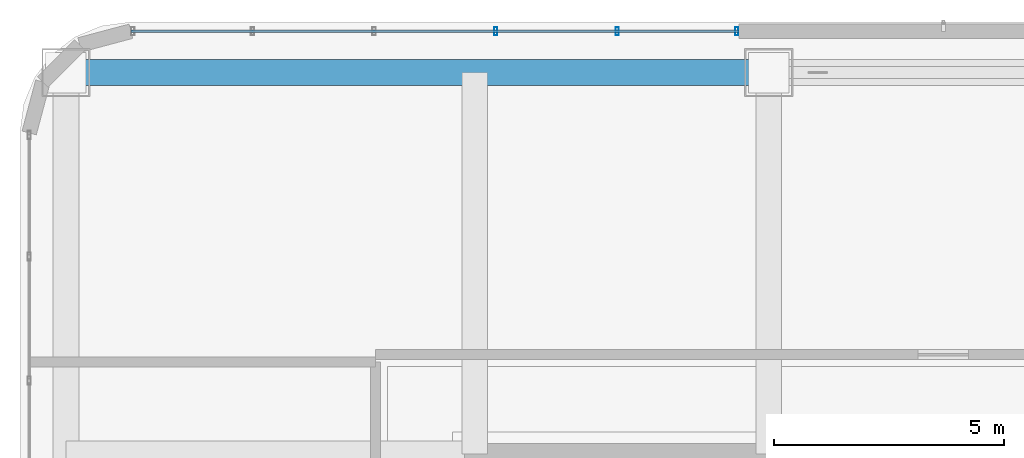
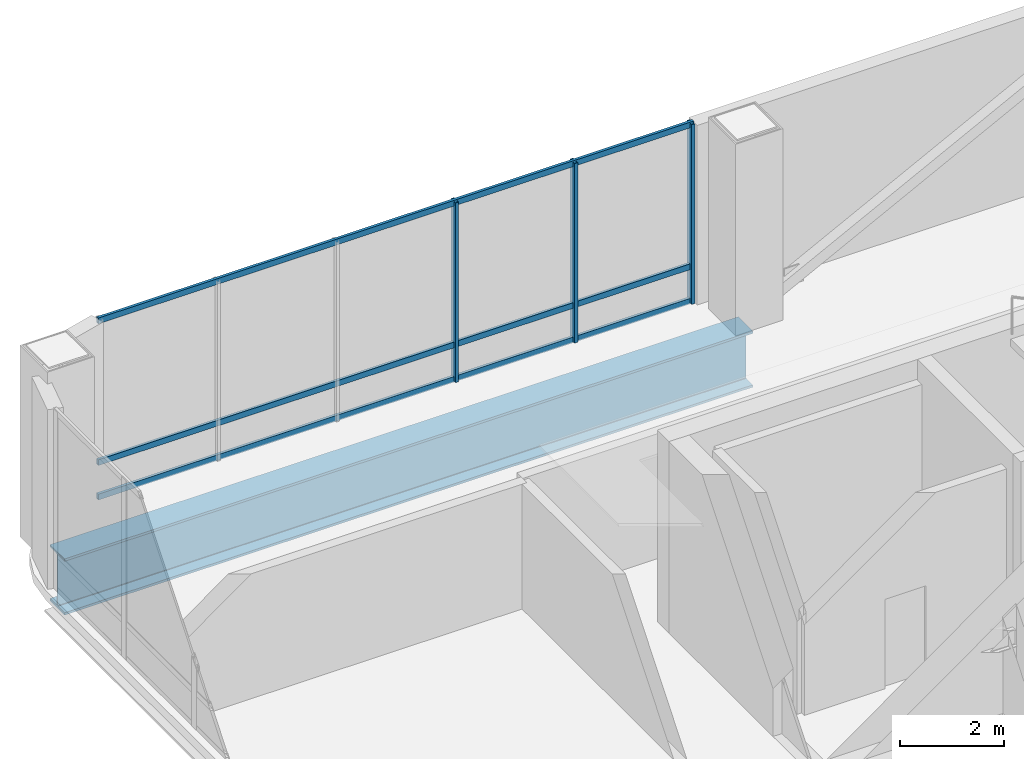
# One storey, part 21 of 33: 6 members, 1 beam, 1 element without a shape of its own.
"""IFC4 building model written with IfcOpenShell, lengths in metres."""

from ifc_helpers import new_model, si_unit, direction, frame, origin, origin_2d, place, context, subcontext, project, spatial, hollow_rectangle, i_section, extrude, material, material_profile, profile_set, type_object, element, aggregate, save


model = new_model("IFC4")

# Units and contexts
model_context = context("Model", 3, precision=1e-05, world=origin(), true_north=direction((0.0, 1.0)))
body_context = subcontext(model_context, "Body", "Model", "MODEL_VIEW")
ifc_project = project(units=[si_unit("LENGTHUNIT", "METRE"), si_unit("AREAUNIT", "SQUARE_METRE"), si_unit("VOLUMEUNIT", "CUBIC_METRE"), si_unit("PLANEANGLEUNIT", "RADIAN"), si_unit("MASSUNIT", "GRAM", prefix="KILO")], contexts=[model_context])

# Site, building, storey
site_placement = place(None, origin())
site = spatial("IfcSite", under=ifc_project, at=site_placement, CompositionType="ELEMENT")
building_placement = place(site_placement, origin())
building = spatial("IfcBuilding", under=site, at=building_placement, Name="Punatoya Terracotta Tower", CompositionType="ELEMENT")
storey_placement = place(building_placement, frame((0.0, 0.0, 348.300048828125)))
storey = spatial("IfcBuildingStorey", under=building, at=storey_placement, Name="L82", CompositionType="ELEMENT", Elevation=348.300048828125)

# Beam
ifc_material_1 = material(Name="Steel S460", Category="steel")
ifc_material_profile_1 = material_profile(ifc_material_1, i_section(OverallWidth=0.56005859375, OverallDepth=1.320068359375, WebThickness=0.035888671875, FlangeThickness=0.054931640625, FilletRadius=0.01806640625, at=origin_2d()))
ifc_profile_set_1 = profile_set([ifc_material_profile_1], Name="Steel S460")
beam_type = type_object("IfcBeamType", Name="BM-TG-BLK", PredefinedType="BEAM", material=ifc_profile_set_1)
beam_placement = place(storey_placement, frame((-19.10009765625, 17.5, -0.880126953125), z_axis=(1.0, 0.0, 0.0), x_axis=(0.0, 1.0, 0.0)))
element("IfcBeam", 1, at=beam_placement, inside=storey, type_object=beam_type, Name="BM-L82-RG-N1", PredefinedType="BEAM", context=body_context, shape_type="SweptSolid", body=[
    extrude(i_section(OverallWidth=0.56005859375, OverallDepth=1.320068359375, WebThickness=0.035888671875, FlangeThickness=0.054931640625, FilletRadius=0.01806640625, at=origin_2d()), origin(), (0.0, 0.0, 1.0), 15.300048828125),
])

# Curtain wall, members
ifc_material_2 = material(Name="Aluminium 6063-T6 + Double Low-E Glass", Category="aluminium")
curtain_wall_type = type_object("IfcCurtainWallType", Name="CW-CRN", PredefinedType="NOTDEFINED", material=ifc_material_2)
curtain_wall_placement = place(storey_placement, origin())
curtain_wall = element("IfcCurtainWall", 2, at=curtain_wall_placement, inside=storey, type_object=curtain_wall_type, Name="L82 Curtain Wall CW-L82-N09-2", PredefinedType="NOTDEFINED")
ifc_material_3 = material(Name="Aluminium 6063-T6", Category="aluminium")
ifc_material_profile_2 = material_profile(ifc_material_3, hollow_rectangle(XDim=0.070068359375, YDim=0.179931640625, WallThickness=0.00390625, at=origin_2d()))
ifc_profile_set_2 = profile_set([ifc_material_profile_2], Name="Aluminium 6063-T6")
member_type_1 = type_object("IfcMemberType", Name="CW-MUL-M3", PredefinedType="MULLION", material=ifc_profile_set_2)
member_1_placement = place(storey_placement, frame((-4.4951171875, 18.39990234375, 0.0), z_axis=(0.0, 0.0, 1.0), x_axis=(1.0, 0.0, 0.0)))
member_1 = element("IfcMember", 3, at=member_1_placement, type_object=member_type_1, Name="CW-L82-N09-2 Mullion 00", PredefinedType="MULLION", context=body_context, shape_type="SweptSolid", body=[
    extrude(hollow_rectangle(XDim=0.070068359375, YDim=0.179931640625, WallThickness=0.00390625, at=origin_2d()), origin(), (0.0, 0.0, 1.0), 4.219970703125),
])
member_2_placement = place(storey_placement, frame((-7.097412109375, 18.39990234375, 0.0), z_axis=(0.0, 0.0, 1.0), x_axis=(1.0, 0.0, 0.0)))
member_2 = element("IfcMember", 4, at=member_2_placement, type_object=member_type_1, Name="CW-L82-N09-2 Mullion 01", PredefinedType="MULLION", context=body_context, shape_type="SweptSolid", body=[
    extrude(hollow_rectangle(XDim=0.070068359375, YDim=0.179931640625, WallThickness=0.00390625, at=origin_2d()), origin(), (0.0, 0.0, 1.0), 4.219970703125),
])
member_3_placement = place(storey_placement, frame((-9.744873046875, 18.39990234375, 0.0), z_axis=(0.0, 0.0, 1.0), x_axis=(1.0, 0.0, 0.0)))
member_3 = element("IfcMember", 5, at=member_3_placement, type_object=member_type_1, Name="CW-L82-N09-2 Mullion 02", PredefinedType="MULLION", context=body_context, shape_type="SweptSolid", body=[
    extrude(hollow_rectangle(XDim=0.070068359375, YDim=0.179931640625, WallThickness=0.00390625, at=origin_2d()), origin(), (0.0, 0.0, 1.0), 4.219970703125),
])
ifc_material_profile_3 = material_profile(ifc_material_3, hollow_rectangle(XDim=0.06201171875, YDim=0.135009765625, WallThickness=0.00390625, at=origin_2d()))
ifc_profile_set_3 = profile_set([ifc_material_profile_3], Name="Aluminium 6063-T6")
member_type_2 = type_object("IfcMemberType", Name="CW-TRN-CRN", PredefinedType="USERDEFINED", material=ifc_profile_set_3)
member_4_placement = place(storey_placement, frame((-4.449951171875, 18.39990234375, 0.0400390625), z_axis=(-1.0, 0.0, 0.0), x_axis=(0.0, -1.0, 0.0)))
member_4 = element("IfcMember", 6, at=member_4_placement, type_object=member_type_2, Name="CW-L82-N09-2 Transom 1", ObjectType="TRANSOM", PredefinedType="USERDEFINED", context=body_context, shape_type="SweptSolid", body=[
    extrude(hollow_rectangle(XDim=0.06201171875, YDim=0.135009765625, WallThickness=0.00390625, at=origin_2d()), origin(), (0.0, 0.0, 1.0), 13.237060546875),
])
member_5_placement = place(storey_placement, frame((-4.449951171875, 18.39990234375, 0.849853515625), z_axis=(-1.0, 0.0, 0.0), x_axis=(0.0, -1.0, 0.0)))
member_5 = element("IfcMember", 7, at=member_5_placement, type_object=member_type_2, Name="CW-L82-N09-2 Transom 2", ObjectType="TRANSOM", PredefinedType="USERDEFINED", context=body_context, shape_type="SweptSolid", body=[
    extrude(hollow_rectangle(XDim=0.06201171875, YDim=0.135009765625, WallThickness=0.00390625, at=origin_2d()), origin(), (0.0, 0.0, 1.0), 13.237060546875),
])
member_6_placement = place(storey_placement, frame((-4.449951171875, 18.39990234375, 4.179931640625), z_axis=(-1.0, 0.0, 0.0), x_axis=(0.0, -1.0, 0.0)))
member_6 = element("IfcMember", 8, at=member_6_placement, type_object=member_type_2, Name="CW-L82-N09-2 Transom 3", ObjectType="TRANSOM", PredefinedType="USERDEFINED", context=body_context, shape_type="SweptSolid", body=[
    extrude(hollow_rectangle(XDim=0.06201171875, YDim=0.135009765625, WallThickness=0.00390625, at=origin_2d()), origin(), (0.0, 0.0, 1.0), 13.237060546875),
])
aggregate(curtain_wall, [member_1, member_2, member_3, member_4, member_5, member_6])

save(model, "model.ifc")
